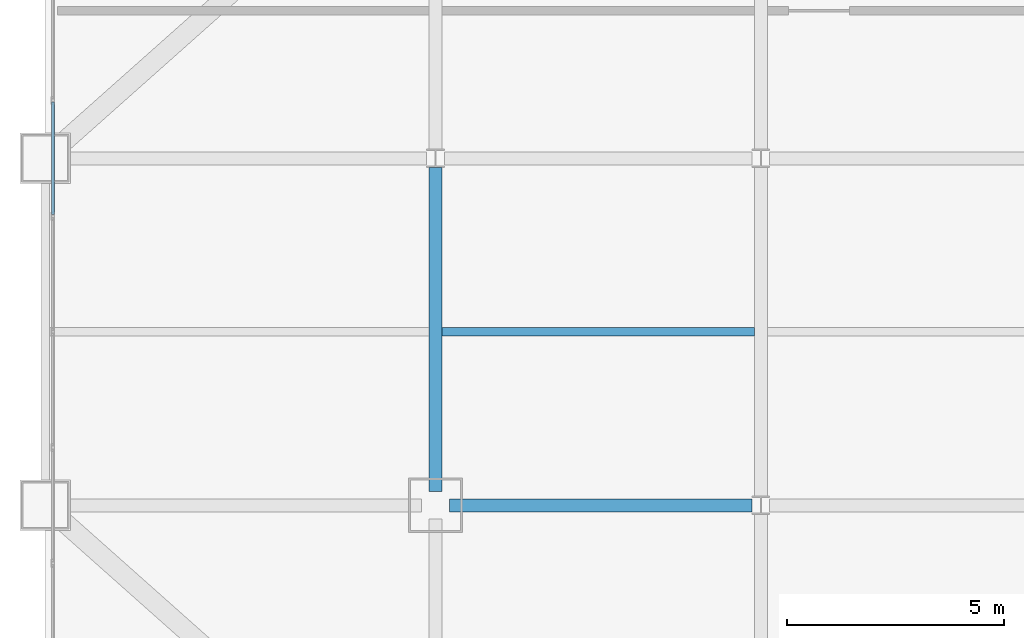
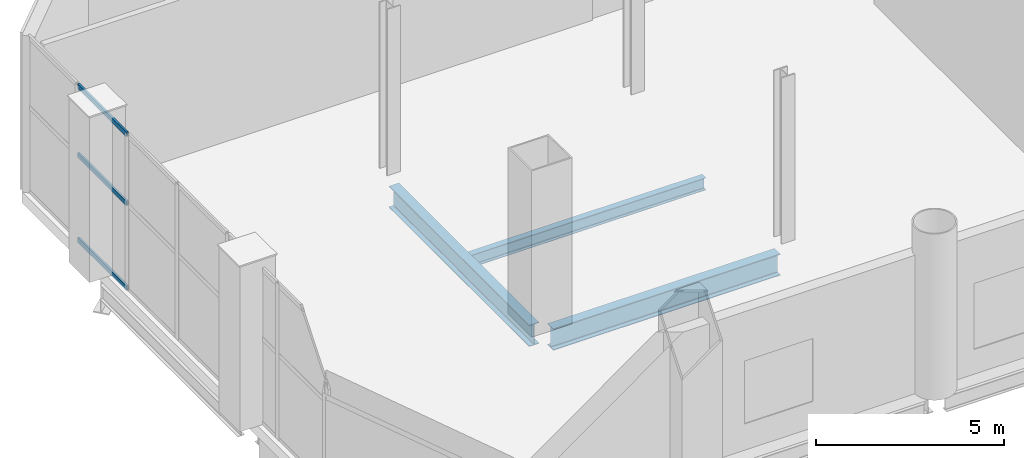
# One storey, part 16 of 26: 3 beams, 3 members, 1 element without a shape of its own.
"""IFC4 building model written with IfcOpenShell, lengths in metres."""

from ifc_helpers import new_model, si_unit, direction, frame, origin, origin_2d, place, context, subcontext, project, spatial, hollow_rectangle, i_section, extrude, material, layer, layer_set, material_profile, profile_set, type_object, element, aggregate, save


model = new_model("IFC4")

# Units and contexts
model_context = context("Model", 3, precision=1e-05, world=origin(), true_north=direction((0.0, 1.0)))
body_context = subcontext(model_context, "Body", "Model", "MODEL_VIEW")
ifc_project = project(units=[si_unit("LENGTHUNIT", "METRE"), si_unit("AREAUNIT", "SQUARE_METRE"), si_unit("VOLUMEUNIT", "CUBIC_METRE"), si_unit("PLANEANGLEUNIT", "RADIAN"), si_unit("MASSUNIT", "GRAM", prefix="KILO")], contexts=[model_context])

# Site, building, storey
site_placement = place(None, origin())
site = spatial("IfcSite", under=ifc_project, at=site_placement, CompositionType="ELEMENT")
building_placement = place(site_placement, origin())
building = spatial("IfcBuilding", under=site, at=building_placement, Name="Qianrong Seaharbour Tower", CompositionType="ELEMENT")
storey_placement = place(building_placement, frame((0.0, 0.0, 108.199951171875)))
storey = spatial("IfcBuildingStorey", under=building, at=storey_placement, Name="L26", CompositionType="ELEMENT", Elevation=108.199951171875)

# Beams
ifc_material_1 = material(Name="Structural steel SN490B", Category="steel")
ifc_material_profile_1 = material_profile(ifc_material_1, i_section(OverallWidth=0.300048828125, OverallDepth=0.699951171875, WebThickness=0.012939453125, FlangeThickness=0.02392578125, FilletRadius=0.02587890625, at=origin_2d()), Name="H700x300x13x24")
ifc_profile_set_1 = profile_set([ifc_material_profile_1], Name="Structural steel SN490B")
beam_type_1 = type_object("IfcBeamType", Name="BM-G-700", PredefinedType="BEAM", material=ifc_profile_set_1)
beam_1_placement = place(storey_placement, frame((9.320068359375, 36.0, -0.699951171875), z_axis=(1.0, 0.0, 0.0), x_axis=(0.0, 1.0, 0.0)))
element("IfcBeam", 1, at=beam_1_placement, inside=storey, type_object=beam_type_1, Name="L26 Primary Girder GF G2-G3", PredefinedType="BEAM", context=body_context, shape_type="SweptSolid", body=[
    extrude(i_section(OverallWidth=0.300048828125, OverallDepth=0.699951171875, WebThickness=0.012939453125, FlangeThickness=0.02392578125, FilletRadius=0.02587890625, at=origin_2d()), origin(), (0.0, 0.0, 1.0), 6.976318359375),
])
beam_2_placement = place(storey_placement, frame((9.0, 36.320068359375, -0.699951171875), z_axis=(0.0, 1.0, 0.0), x_axis=(-1.0, 0.0, 0.0)))
element("IfcBeam", 2, at=beam_2_placement, inside=storey, type_object=beam_type_1, Name="L26 Primary Girder G2 GF-GG", PredefinedType="BEAM", context=body_context, shape_type="SweptSolid", body=[
    extrude(i_section(OverallWidth=0.300048828125, OverallDepth=0.699951171875, WebThickness=0.012939453125, FlangeThickness=0.02392578125, FilletRadius=0.02587890625, at=origin_2d()), origin(), (0.0, 0.0, 1.0), 7.4658203125),
])
ifc_material_2 = material(Name="Structural steel SN400B", Category="steel")
ifc_material_profile_2 = material_profile(ifc_material_2, i_section(OverallWidth=0.199951171875, OverallDepth=0.39990234375, WebThickness=0.008056640625, FlangeThickness=0.012939453125, FilletRadius=0.01611328125, at=origin_2d()), Name="H400x200x8x13")
ifc_profile_set_2 = profile_set([ifc_material_profile_2], Name="Structural steel SN400B")
beam_type_2 = type_object("IfcBeamType", Name="BM-J-400", PredefinedType="JOIST", material=ifc_profile_set_2)
beam_3_placement = place(storey_placement, frame((9.14990234375, 40.0, -0.550048828125), z_axis=(1.0, 0.0, 0.0), x_axis=(0.0, 1.0, 0.0)))
element("IfcBeam", 3, at=beam_3_placement, inside=storey, type_object=beam_type_2, Name="L26 Composite Floor Joist G2-G3/GF-GG", PredefinedType="JOIST", context=body_context, shape_type="SweptSolid", body=[
    extrude(i_section(OverallWidth=0.199951171875, OverallDepth=0.39990234375, WebThickness=0.008056640625, FlangeThickness=0.012939453125, FilletRadius=0.01611328125, at=origin_2d()), origin(), (0.0, 0.0, 1.0), 7.2001953125),
])

# Curtain wall, members
ifc_material_3 = material(Name="Anodised aluminium 6063-T6 and laminated low-e glass", Category="aluminium")
ifc_layer = layer(ifc_material_3, 0.18505859375)
ifc_layer_set = layer_set([ifc_layer], Name="Anodised aluminium 6063-T6 and laminated low-e glass")
curtain_wall_type = type_object("IfcCurtainWallType", Name="CW-SYS-4", PredefinedType="NOTDEFINED", material=ifc_layer_set)
curtain_wall_placement = place(storey_placement, origin())
curtain_wall = element("IfcCurtainWall", 4, at=curtain_wall_placement, inside=storey, type_object=curtain_wall_type, Name="L26 Refuge Acoustic Louvre Curtain Wall WEST_TIP", PredefinedType="NOTDEFINED")
ifc_material_4 = material(Name="Extruded aluminium 6063-T6", Category="aluminium")
ifc_material_profile_3 = material_profile(ifc_material_4, hollow_rectangle(XDim=0.06494140625, YDim=0.14990234375, WallThickness=0.00390625, at=origin_2d()), Name="ALU-TRN-150x65x4")
ifc_profile_set_3 = profile_set([ifc_material_profile_3], Name="Extruded aluminium 6063-T6")
member_type = type_object("IfcMemberType", Name="CW-TRN-150", PredefinedType="USERDEFINED", material=ifc_profile_set_3)
member_1_placement = place(storey_placement, frame((0.179931640625, 42.70166015625, 0.032470703125), z_axis=(0.0, 1.0, 0.0), x_axis=(-1.0, 0.0, 0.0)))
member_1 = element("IfcMember", 5, at=member_1_placement, type_object=member_type, Name="CW-4 transom 5.1", ObjectType="TRANSOM", PredefinedType="USERDEFINED", context=body_context, shape_type="SweptSolid", body=[
    extrude(hollow_rectangle(XDim=0.06494140625, YDim=0.14990234375, WallThickness=0.00390625, at=origin_2d()), origin(), (0.0, 0.0, 1.0), 2.5966796875),
])
member_2_placement = place(storey_placement, frame((0.179931640625, 42.70166015625, 2.782958984375), z_axis=(0.0, 1.0, 0.0), x_axis=(-1.0, 0.0, 0.0)))
member_2 = element("IfcMember", 6, at=member_2_placement, type_object=member_type, Name="CW-4 transom 5.2", ObjectType="TRANSOM", PredefinedType="USERDEFINED", context=body_context, shape_type="SweptSolid", body=[
    extrude(hollow_rectangle(XDim=0.06494140625, YDim=0.14990234375, WallThickness=0.00390625, at=origin_2d()), origin(), (0.0, 0.0, 1.0), 2.5966796875),
])
member_3_placement = place(storey_placement, frame((0.179931640625, 42.70166015625, 5.027587890625), z_axis=(0.0, 1.0, 0.0), x_axis=(-1.0, 0.0, 0.0)))
member_3 = element("IfcMember", 7, at=member_3_placement, type_object=member_type, Name="CW-4 transom 5.3", ObjectType="TRANSOM", PredefinedType="USERDEFINED", context=body_context, shape_type="SweptSolid", body=[
    extrude(hollow_rectangle(XDim=0.06494140625, YDim=0.14990234375, WallThickness=0.00390625, at=origin_2d()), origin(), (0.0, 0.0, 1.0), 2.5966796875),
])
aggregate(curtain_wall, [member_1, member_2, member_3])

save(model, "model.ifc")
